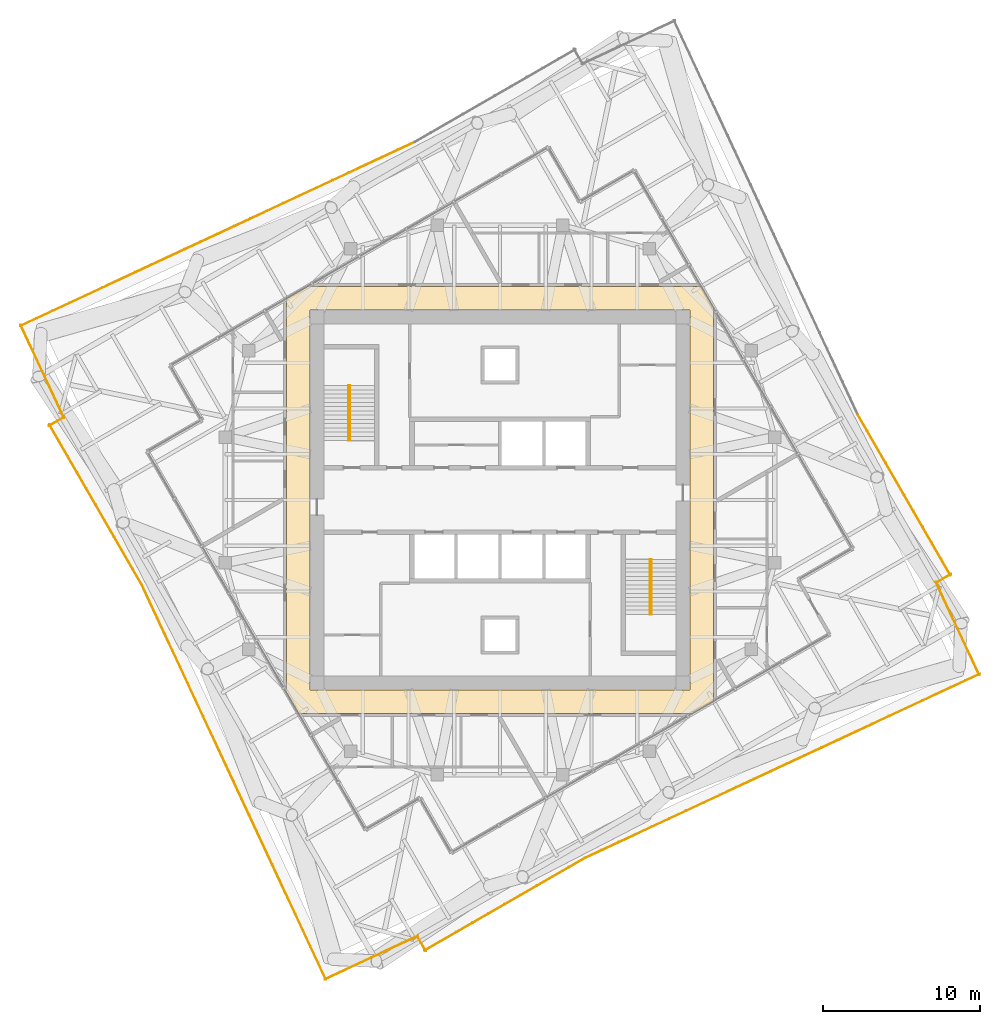
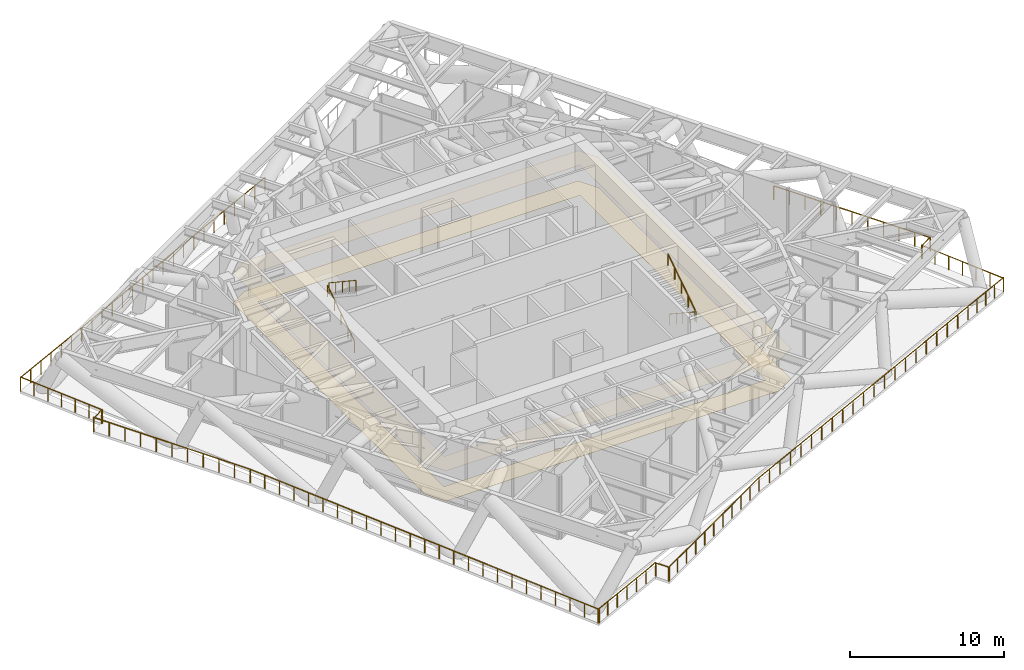
# One storey, part 11 of 12: 17 railings, 2 coverings, 2 elements without a shape of their own.
"""IFC4 building model written with IfcOpenShell, lengths in metres."""

from ifc_helpers import new_model, si_unit, direction, frame, origin, origin_2d, place, context, subcontext, project, spatial, polyline, circle, outline, extrude, material, layer, layer_set, type_object, element, aggregate, save


model = new_model("IFC4")

# Units and contexts
model_context = context("Model", 3, precision=1e-05, world=origin(), true_north=direction((0.0, 1.0)))
body_context = subcontext(model_context, "Body", "Model", "MODEL_VIEW")
ifc_project = project(units=[si_unit("LENGTHUNIT", "METRE"), si_unit("AREAUNIT", "SQUARE_METRE"), si_unit("VOLUMEUNIT", "CUBIC_METRE"), si_unit("PLANEANGLEUNIT", "RADIAN"), si_unit("MASSUNIT", "GRAM", prefix="KILO")], contexts=[model_context])

# Site, building, storey
site_placement = place(None, origin())
site = spatial("IfcSite", under=ifc_project, at=site_placement, CompositionType="ELEMENT")
building_placement = place(site_placement, origin())
building = spatial("IfcBuilding", under=site, at=building_placement, Name="Torsade Residences", CompositionType="ELEMENT")
storey_placement = place(building_placement, frame((0.0, 0.0, 203.199951171875)))
storey = spatial("IfcBuildingStorey", under=building, at=storey_placement, Name="L56", CompositionType="ELEMENT", Elevation=203.199951171875)

# Coverings
ifc_material_1 = material(Name="Nylon carpet tile on underlay", Category="textile")
ifc_layer_1 = layer(ifc_material_1, 0.010009765625)
ifc_layer_set_1 = layer_set([ifc_layer_1], Name="Nylon carpet tile on underlay")
covering_type_1 = type_object("IfcCoveringType", Name="CORRIDOR CARPET TILE 10", PredefinedType="FLOORING", material=ifc_layer_set_1)
covering_1_placement = place(storey_placement, origin())
element("IfcCovering", 1, at=covering_1_placement, inside=storey, type_object=covering_type_1, Name="Corridor carpet L56", PredefinedType="FLOORING", context=body_context, shape_type="SweptSolid", body=[
    extrude(outline(polyline([(26.39990234375, 17.755859375), (27.182861328125, 16.39990234375), (52.244140625, 16.39990234375), (53.60009765625, 17.182861328125), (53.60009765625, 42.244140625), (52.817138671875, 43.60009765625), (27.755859375, 43.60009765625), (26.39990234375, 42.817138671875), (26.39990234375, 17.755859375)]), holes=[polyline([(27.89990234375, 42.10009765625), (27.89990234375, 17.89990234375), (52.10009765625, 17.89990234375), (52.10009765625, 42.10009765625), (27.89990234375, 42.10009765625)])]), origin(), (0.0, 0.0, 1.0), 0.010009765625),
])
ifc_material_2 = material(Name="Plasterboard on suspended steel grid", Category="steel")
ifc_layer_2 = layer(ifc_material_2, 0.012939453125)
ifc_layer_set_2 = layer_set([ifc_layer_2], Name="Plasterboard on suspended steel grid")
covering_type_2 = type_object("IfcCoveringType", Name="CORRIDOR SUSPENDED CEILING 13", PredefinedType="CEILING", material=ifc_layer_set_2)
covering_2_placement = place(storey_placement, frame((0.0, 0.0, 2.400146484375)))
element("IfcCovering", 2, at=covering_2_placement, inside=storey, type_object=covering_type_2, Name="Corridor ceiling L56", PredefinedType="CEILING", context=body_context, shape_type="SweptSolid", body=[
    extrude(outline(polyline([(26.39990234375, 17.755859375), (27.182861328125, 16.39990234375), (52.244140625, 16.39990234375), (53.60009765625, 17.182861328125), (53.60009765625, 42.244140625), (52.817138671875, 43.60009765625), (27.755859375, 43.60009765625), (26.39990234375, 42.817138671875), (26.39990234375, 17.755859375)]), holes=[polyline([(27.89990234375, 42.10009765625), (27.89990234375, 17.89990234375), (52.10009765625, 17.89990234375), (52.10009765625, 42.10009765625), (27.89990234375, 42.10009765625)])]), origin(), (0.0, 0.0, 1.0), 0.012939453125),
])

# Railings
ifc_material_3 = material(Name="Galvanised steel guard rail", Category="steel")
railing_type_1 = type_object("IfcRailingType", Name="ROOF EDGE GUARD 1100", PredefinedType="GUARDRAIL", material=ifc_material_3)
railing_1_placement = place(storey_placement, frame((34.756591796875, 2.18212890625, 0.0)))
element("IfcRailing", 3, at=railing_1_placement, inside=storey, type_object=railing_type_1, Name="Roof edge guard L56 1", PredefinedType="GUARDRAIL", context=body_context, shape_type="SweptSolid", body=[
    extrude(circle(Radius=0.02392578125, at=origin_2d()), frame((0.0, 0.0, 1.076171875), z_axis=(0.49975662701, -0.866165869657, 0.0), x_axis=(0.866165869657, 0.49975662701, 0.0)), (0.0, 0.0, 1.0), 1.03076171875),
    extrude(circle(Radius=0.02099609375, at=origin_2d()), origin(), (0.0, 0.0, 1.0), 1.052001953125),
    extrude(circle(Radius=0.02099609375, at=origin_2d()), frame((0.51513671875, -0.892822265625, 0.0)), (0.0, 0.0, 1.0), 1.052001953125),
])
railing_2_placement = place(storey_placement, frame((35.20361328125, 1.3076171875, 0.0)))
element("IfcRailing", 4, at=railing_2_placement, inside=storey, type_object=railing_type_1, Name="Roof edge guard L56 2", PredefinedType="GUARDRAIL", context=body_context, shape_type="SweptSolid", body=[
    extrude(circle(Radius=0.02392578125, at=origin_2d()), frame((0.0, 0.0, 1.076171875), z_axis=(0.86602137294, 0.500006981563, 0.0), x_axis=(-0.500006981563, 0.86602137294, 0.0)), (0.0, 0.0, 1.0), 11.784912109375),
    extrude(circle(Radius=0.02099609375, at=origin_2d()), origin(), (0.0, 0.0, 1.0), 1.052001953125),
    extrude(circle(Radius=0.02099609375, at=origin_2d()), frame((1.0205078125, 0.58935546875, 0.0)), (0.0, 0.0, 1.0), 1.052001953125),
    extrude(circle(Radius=0.02099609375, at=origin_2d()), frame((2.041259765625, 1.178466796875, 0.0)), (0.0, 0.0, 1.0), 1.052001953125),
    extrude(circle(Radius=0.02099609375, at=origin_2d()), frame((3.061767578125, 1.767822265625, 0.0)), (0.0, 0.0, 1.0), 1.052001953125),
    extrude(circle(Radius=0.02099609375, at=origin_2d()), frame((4.08251953125, 2.35693359375, 0.0)), (0.0, 0.0, 1.0), 1.052001953125),
    extrude(circle(Radius=0.02099609375, at=origin_2d()), frame((5.10302734375, 2.9462890625, 0.0)), (0.0, 0.0, 1.0), 1.052001953125),
    extrude(circle(Radius=0.02099609375, at=origin_2d()), frame((6.12353515625, 3.53564453125, 0.0)), (0.0, 0.0, 1.0), 1.052001953125),
    extrude(circle(Radius=0.02099609375, at=origin_2d()), frame((7.144287109375, 4.124755859375, 0.0)), (0.0, 0.0, 1.0), 1.052001953125),
    extrude(circle(Radius=0.02099609375, at=origin_2d()), frame((8.164794921875, 4.714111328125, 0.0)), (0.0, 0.0, 1.0), 1.052001953125),
    extrude(circle(Radius=0.02099609375, at=origin_2d()), frame((9.185546875, 5.30322265625, 0.0)), (0.0, 0.0, 1.0), 1.052001953125),
    extrude(circle(Radius=0.02099609375, at=origin_2d()), frame((10.2060546875, 5.892578125, 0.0)), (0.0, 0.0, 1.0), 1.052001953125),
])
railing_3_placement = place(storey_placement, frame((45.409912109375, 7.2001953125, 0.0)))
element("IfcRailing", 5, at=railing_3_placement, inside=storey, type_object=railing_type_1, Name="Roof edge guard L56 3", PredefinedType="GUARDRAIL", context=body_context, shape_type="SweptSolid", body=[
    extrude(circle(Radius=0.02392578125, at=origin_2d()), frame((0.0, 0.0, 1.076171875), z_axis=(0.906308460776, 0.422616816899, 0.0), x_axis=(-0.422616816899, 0.906308460776, 0.0)), (0.0, 0.0, 1.0), 23.732666015625),
    extrude(circle(Radius=0.02099609375, at=origin_2d()), origin(), (0.0, 0.0, 1.0), 1.052001953125),
    extrude(circle(Radius=0.02099609375, at=origin_2d()), frame((1.075439453125, 0.50146484375, 0.0)), (0.0, 0.0, 1.0), 1.052001953125),
    extrude(circle(Radius=0.02099609375, at=origin_2d()), frame((2.15087890625, 1.0029296875, 0.0)), (0.0, 0.0, 1.0), 1.052001953125),
    extrude(circle(Radius=0.02099609375, at=origin_2d()), frame((3.226318359375, 1.50439453125, 0.0)), (0.0, 0.0, 1.0), 1.052001953125),
    extrude(circle(Radius=0.02099609375, at=origin_2d()), frame((4.3017578125, 2.005859375, 0.0)), (0.0, 0.0, 1.0), 1.052001953125),
    extrude(circle(Radius=0.02099609375, at=origin_2d()), frame((5.377197265625, 2.50732421875, 0.0)), (0.0, 0.0, 1.0), 1.052001953125),
    extrude(circle(Radius=0.02099609375, at=origin_2d()), frame((6.45263671875, 3.009033203125, 0.0)), (0.0, 0.0, 1.0), 1.052001953125),
    extrude(circle(Radius=0.02099609375, at=origin_2d()), frame((7.528076171875, 3.510498046875, 0.0)), (0.0, 0.0, 1.0), 1.052001953125),
    extrude(circle(Radius=0.02099609375, at=origin_2d()), frame((8.603515625, 4.011962890625, 0.0)), (0.0, 0.0, 1.0), 1.052001953125),
    extrude(circle(Radius=0.02099609375, at=origin_2d()), frame((9.678955078125, 4.513427734375, 0.0)), (0.0, 0.0, 1.0), 1.052001953125),
    extrude(circle(Radius=0.02099609375, at=origin_2d()), frame((10.75439453125, 5.014892578125, 0.0)), (0.0, 0.0, 1.0), 1.052001953125),
    extrude(circle(Radius=0.02099609375, at=origin_2d()), frame((11.830078125, 5.516357421875, 0.0)), (0.0, 0.0, 1.0), 1.052001953125),
    extrude(circle(Radius=0.02099609375, at=origin_2d()), frame((12.905517578125, 6.017822265625, 0.0)), (0.0, 0.0, 1.0), 1.052001953125),
    extrude(circle(Radius=0.02099609375, at=origin_2d()), frame((13.98095703125, 6.519287109375, 0.0)), (0.0, 0.0, 1.0), 1.052001953125),
    extrude(circle(Radius=0.02099609375, at=origin_2d()), frame((15.056396484375, 7.020751953125, 0.0)), (0.0, 0.0, 1.0), 1.052001953125),
    extrude(circle(Radius=0.02099609375, at=origin_2d()), frame((16.1318359375, 7.5224609375, 0.0)), (0.0, 0.0, 1.0), 1.052001953125),
    extrude(circle(Radius=0.02099609375, at=origin_2d()), frame((17.207275390625, 8.02392578125, 0.0)), (0.0, 0.0, 1.0), 1.052001953125),
    extrude(circle(Radius=0.02099609375, at=origin_2d()), frame((18.28271484375, 8.525390625, 0.0)), (0.0, 0.0, 1.0), 1.052001953125),
    extrude(circle(Radius=0.02099609375, at=origin_2d()), frame((19.358154296875, 9.02685546875, 0.0)), (0.0, 0.0, 1.0), 1.052001953125),
    extrude(circle(Radius=0.02099609375, at=origin_2d()), frame((20.43359375, 9.5283203125, 0.0)), (0.0, 0.0, 1.0), 1.052001953125),
    extrude(circle(Radius=0.02099609375, at=origin_2d()), frame((21.509033203125, 10.02978515625, 0.0)), (0.0, 0.0, 1.0), 1.052001953125),
])
railing_4_placement = place(storey_placement, frame((66.9189453125, 17.22998046875, 0.0)))
element("IfcRailing", 6, at=railing_4_placement, inside=storey, type_object=railing_type_1, Name="Roof edge guard L56 4", PredefinedType="GUARDRAIL", context=body_context, shape_type="SweptSolid", body=[
    extrude(circle(Radius=0.02392578125, at=origin_2d()), frame((0.0, 0.0, 1.076171875), z_axis=(0.906312519031, 0.422608113797, 0.0), x_axis=(-0.422608113797, 0.906312519031, 0.0)), (0.0, 0.0, 1.0), 4.0),
    extrude(circle(Radius=0.02099609375, at=origin_2d()), origin(), (0.0, 0.0, 1.0), 1.052001953125),
    extrude(circle(Radius=0.02099609375, at=origin_2d()), frame((0.90625, 0.422607421875, 0.0)), (0.0, 0.0, 1.0), 1.052001953125),
    extrude(circle(Radius=0.02099609375, at=origin_2d()), frame((1.8125, 0.84521484375, 0.0)), (0.0, 0.0, 1.0), 1.052001953125),
    extrude(circle(Radius=0.02099609375, at=origin_2d()), frame((2.718994140625, 1.267822265625, 0.0)), (0.0, 0.0, 1.0), 1.052001953125),
    extrude(circle(Radius=0.02099609375, at=origin_2d()), frame((3.625244140625, 1.6904296875, 0.0)), (0.0, 0.0, 1.0), 1.052001953125),
])
railing_5_placement = place(storey_placement, frame((70.52001953125, 18.85400390625, 0.0)))
element("IfcRailing", 7, at=railing_5_placement, inside=storey, type_object=railing_type_1, Name="Roof edge guard L56 5", PredefinedType="GUARDRAIL", context=body_context, shape_type="SweptSolid", body=[
    extrude(circle(Radius=0.02392578125, at=origin_2d()), frame((0.0, 0.0, 1.076171875), z_axis=(-0.422607222856, 0.906312934471, 0.0), x_axis=(-0.906312934471, -0.422607222856, 0.0)), (0.0, 0.0, 1.0), 6.533203125),
    extrude(circle(Radius=0.02099609375, at=origin_2d()), origin(), (0.0, 0.0, 1.0), 1.052001953125),
    extrude(circle(Radius=0.02099609375, at=origin_2d()), frame((-0.460205078125, 0.98681640625, 0.0)), (0.0, 0.0, 1.0), 1.052001953125),
    extrude(circle(Radius=0.02099609375, at=origin_2d()), frame((-0.92041015625, 1.9736328125, 0.0)), (0.0, 0.0, 1.0), 1.052001953125),
    extrude(circle(Radius=0.02099609375, at=origin_2d()), frame((-1.38037109375, 2.96044921875, 0.0)), (0.0, 0.0, 1.0), 1.052001953125),
    extrude(circle(Radius=0.02099609375, at=origin_2d()), frame((-1.840576171875, 3.947509765625, 0.0)), (0.0, 0.0, 1.0), 1.052001953125),
    extrude(circle(Radius=0.02099609375, at=origin_2d()), frame((-2.30078125, 4.934326171875, 0.0)), (0.0, 0.0, 1.0), 1.052001953125),
    extrude(circle(Radius=0.02099609375, at=origin_2d()), frame((-2.760986328125, 5.921142578125, 0.0)), (0.0, 0.0, 1.0), 1.052001953125),
])
railing_6_placement = place(storey_placement, frame((67.81787109375, 24.756591796875, 0.0)))
element("IfcRailing", 8, at=railing_6_placement, inside=storey, type_object=railing_type_1, Name="Roof edge guard L56 6", PredefinedType="GUARDRAIL", context=body_context, shape_type="SweptSolid", body=[
    extrude(circle(Radius=0.02392578125, at=origin_2d()), frame((0.0, 0.0, 1.076171875), z_axis=(0.866165869657, 0.49975662701, 0.0), x_axis=(-0.49975662701, 0.866165869657, 0.0)), (0.0, 0.0, 1.0), 1.03076171875),
    extrude(circle(Radius=0.02099609375, at=origin_2d()), origin(), (0.0, 0.0, 1.0), 1.052001953125),
    extrude(circle(Radius=0.02099609375, at=origin_2d()), frame((0.892822265625, 0.51513671875, 0.0)), (0.0, 0.0, 1.0), 1.052001953125),
])
railing_7_placement = place(storey_placement, frame((68.6923828125, 25.20361328125, 0.0)))
element("IfcRailing", 9, at=railing_7_placement, inside=storey, type_object=railing_type_1, Name="Roof edge guard L56 7", PredefinedType="GUARDRAIL", context=body_context, shape_type="SweptSolid", body=[
    extrude(circle(Radius=0.02392578125, at=origin_2d()), frame((0.0, 0.0, 1.076171875), z_axis=(-0.500006981563, 0.86602137294, 0.0), x_axis=(-0.86602137294, -0.500006981563, 0.0)), (0.0, 0.0, 1.0), 11.784912109375),
    extrude(circle(Radius=0.02099609375, at=origin_2d()), origin(), (0.0, 0.0, 1.0), 1.052001953125),
    extrude(circle(Radius=0.02099609375, at=origin_2d()), frame((-0.58935546875, 1.0205078125, 0.0)), (0.0, 0.0, 1.0), 1.052001953125),
    extrude(circle(Radius=0.02099609375, at=origin_2d()), frame((-1.178466796875, 2.041259765625, 0.0)), (0.0, 0.0, 1.0), 1.052001953125),
    extrude(circle(Radius=0.02099609375, at=origin_2d()), frame((-1.767822265625, 3.061767578125, 0.0)), (0.0, 0.0, 1.0), 1.052001953125),
    extrude(circle(Radius=0.02099609375, at=origin_2d()), frame((-2.35693359375, 4.08251953125, 0.0)), (0.0, 0.0, 1.0), 1.052001953125),
    extrude(circle(Radius=0.02099609375, at=origin_2d()), frame((-2.9462890625, 5.10302734375, 0.0)), (0.0, 0.0, 1.0), 1.052001953125),
    extrude(circle(Radius=0.02099609375, at=origin_2d()), frame((-3.53564453125, 6.12353515625, 0.0)), (0.0, 0.0, 1.0), 1.052001953125),
    extrude(circle(Radius=0.02099609375, at=origin_2d()), frame((-4.124755859375, 7.144287109375, 0.0)), (0.0, 0.0, 1.0), 1.052001953125),
    extrude(circle(Radius=0.02099609375, at=origin_2d()), frame((-4.714111328125, 8.164794921875, 0.0)), (0.0, 0.0, 1.0), 1.052001953125),
    extrude(circle(Radius=0.02099609375, at=origin_2d()), frame((-5.30322265625, 9.185546875, 0.0)), (0.0, 0.0, 1.0), 1.052001953125),
    extrude(circle(Radius=0.02099609375, at=origin_2d()), frame((-5.892578125, 10.2060546875, 0.0)), (0.0, 0.0, 1.0), 1.052001953125),
])
railing_8_placement = place(storey_placement, frame((34.590087890625, 52.7998046875, 0.0)))
element("IfcRailing", 10, at=railing_8_placement, inside=storey, type_object=railing_type_1, Name="Roof edge guard L56 12", PredefinedType="GUARDRAIL", context=body_context, shape_type="SweptSolid", body=[
    extrude(circle(Radius=0.02392578125, at=origin_2d()), frame((0.0, 0.0, 1.076171875), z_axis=(-0.906309046122, -0.422615561614, 0.0), x_axis=(0.422615561614, -0.906309046122, 0.0)), (0.0, 0.0, 1.0), 27.732666015625),
    extrude(circle(Radius=0.02099609375, at=origin_2d()), origin(), (0.0, 0.0, 1.0), 1.052001953125),
    extrude(circle(Radius=0.02099609375, at=origin_2d()), frame((-1.04736328125, -0.48828125, 0.0)), (0.0, 0.0, 1.0), 1.052001953125),
    extrude(circle(Radius=0.02099609375, at=origin_2d()), frame((-2.094482421875, -0.9765625, 0.0)), (0.0, 0.0, 1.0), 1.052001953125),
    extrude(circle(Radius=0.02099609375, at=origin_2d()), frame((-3.141845703125, -1.465087890625, 0.0)), (0.0, 0.0, 1.0), 1.052001953125),
    extrude(circle(Radius=0.02099609375, at=origin_2d()), frame((-4.18896484375, -1.953369140625, 0.0)), (0.0, 0.0, 1.0), 1.052001953125),
    extrude(circle(Radius=0.02099609375, at=origin_2d()), frame((-5.236328125, -2.441650390625, 0.0)), (0.0, 0.0, 1.0), 1.052001953125),
    extrude(circle(Radius=0.02099609375, at=origin_2d()), frame((-6.28369140625, -2.93017578125, 0.0)), (0.0, 0.0, 1.0), 1.052001953125),
    extrude(circle(Radius=0.02099609375, at=origin_2d()), frame((-7.330810546875, -3.41845703125, 0.0)), (0.0, 0.0, 1.0), 1.052001953125),
    extrude(circle(Radius=0.02099609375, at=origin_2d()), frame((-8.378173828125, -3.90673828125, 0.0)), (0.0, 0.0, 1.0), 1.052001953125),
    extrude(circle(Radius=0.02099609375, at=origin_2d()), frame((-9.42529296875, -4.39501953125, 0.0)), (0.0, 0.0, 1.0), 1.052001953125),
    extrude(circle(Radius=0.02099609375, at=origin_2d()), frame((-10.47265625, -4.88330078125, 0.0)), (0.0, 0.0, 1.0), 1.052001953125),
    extrude(circle(Radius=0.02099609375, at=origin_2d()), frame((-11.519775390625, -5.371826171875, 0.0)), (0.0, 0.0, 1.0), 1.052001953125),
    extrude(circle(Radius=0.02099609375, at=origin_2d()), frame((-12.567138671875, -5.860107421875, 0.0)), (0.0, 0.0, 1.0), 1.052001953125),
    extrude(circle(Radius=0.02099609375, at=origin_2d()), frame((-13.614501953125, -6.348388671875, 0.0)), (0.0, 0.0, 1.0), 1.052001953125),
    extrude(circle(Radius=0.02099609375, at=origin_2d()), frame((-14.66162109375, -6.8369140625, 0.0)), (0.0, 0.0, 1.0), 1.052001953125),
    extrude(circle(Radius=0.02099609375, at=origin_2d()), frame((-15.708984375, -7.3251953125, 0.0)), (0.0, 0.0, 1.0), 1.052001953125),
    extrude(circle(Radius=0.02099609375, at=origin_2d()), frame((-16.756103515625, -7.8134765625, 0.0)), (0.0, 0.0, 1.0), 1.052001953125),
    extrude(circle(Radius=0.02099609375, at=origin_2d()), frame((-17.803466796875, -8.3017578125, 0.0)), (0.0, 0.0, 1.0), 1.052001953125),
    extrude(circle(Radius=0.02099609375, at=origin_2d()), frame((-18.8505859375, -8.7900390625, 0.0)), (0.0, 0.0, 1.0), 1.052001953125),
    extrude(circle(Radius=0.02099609375, at=origin_2d()), frame((-19.89794921875, -9.278564453125, 0.0)), (0.0, 0.0, 1.0), 1.052001953125),
    extrude(circle(Radius=0.02099609375, at=origin_2d()), frame((-20.9453125, -9.766845703125, 0.0)), (0.0, 0.0, 1.0), 1.052001953125),
    extrude(circle(Radius=0.02099609375, at=origin_2d()), frame((-21.992431640625, -10.255126953125, 0.0)), (0.0, 0.0, 1.0), 1.052001953125),
    extrude(circle(Radius=0.02099609375, at=origin_2d()), frame((-23.039794921875, -10.74365234375, 0.0)), (0.0, 0.0, 1.0), 1.052001953125),
    extrude(circle(Radius=0.02099609375, at=origin_2d()), frame((-24.0869140625, -11.23193359375, 0.0)), (0.0, 0.0, 1.0), 1.052001953125),
    extrude(circle(Radius=0.02099609375, at=origin_2d()), frame((-25.13427734375, -11.72021484375, 0.0)), (0.0, 0.0, 1.0), 1.052001953125),
])
railing_9_placement = place(storey_placement, frame((9.47998046875, 41.14599609375, 0.0)))
element("IfcRailing", 11, at=railing_9_placement, inside=storey, type_object=railing_type_1, Name="Roof edge guard L56 13", PredefinedType="GUARDRAIL", context=body_context, shape_type="SweptSolid", body=[
    extrude(circle(Radius=0.02392578125, at=origin_2d()), frame((0.0, 0.0, 1.076171875), z_axis=(0.422607222856, -0.906312934471, 0.0), x_axis=(0.906312934471, 0.422607222856, 0.0)), (0.0, 0.0, 1.0), 6.533203125),
    extrude(circle(Radius=0.02099609375, at=origin_2d()), origin(), (0.0, 0.0, 1.0), 1.052001953125),
    extrude(circle(Radius=0.02099609375, at=origin_2d()), frame((0.460205078125, -0.98681640625, 0.0)), (0.0, 0.0, 1.0), 1.052001953125),
    extrude(circle(Radius=0.02099609375, at=origin_2d()), frame((0.92041015625, -1.9736328125, 0.0)), (0.0, 0.0, 1.0), 1.052001953125),
    extrude(circle(Radius=0.02099609375, at=origin_2d()), frame((1.38037109375, -2.96044921875, 0.0)), (0.0, 0.0, 1.0), 1.052001953125),
    extrude(circle(Radius=0.02099609375, at=origin_2d()), frame((1.840576171875, -3.947509765625, 0.0)), (0.0, 0.0, 1.0), 1.052001953125),
    extrude(circle(Radius=0.02099609375, at=origin_2d()), frame((2.30078125, -4.934326171875, 0.0)), (0.0, 0.0, 1.0), 1.052001953125),
    extrude(circle(Radius=0.02099609375, at=origin_2d()), frame((2.760986328125, -5.921142578125, 0.0)), (0.0, 0.0, 1.0), 1.052001953125),
])
railing_10_placement = place(storey_placement, frame((12.18212890625, 35.243408203125, 0.0)))
element("IfcRailing", 12, at=railing_10_placement, inside=storey, type_object=railing_type_1, Name="Roof edge guard L56 14", PredefinedType="GUARDRAIL", context=body_context, shape_type="SweptSolid", body=[
    extrude(circle(Radius=0.02392578125, at=origin_2d()), frame((0.0, 0.0, 1.076171875), z_axis=(-0.866165869657, -0.49975662701, 0.0), x_axis=(0.49975662701, -0.866165869657, 0.0)), (0.0, 0.0, 1.0), 1.03076171875),
    extrude(circle(Radius=0.02099609375, at=origin_2d()), origin(), (0.0, 0.0, 1.0), 1.052001953125),
    extrude(circle(Radius=0.02099609375, at=origin_2d()), frame((-0.892822265625, -0.51513671875, 0.0)), (0.0, 0.0, 1.0), 1.052001953125),
])
railing_11_placement = place(storey_placement, frame((11.3076171875, 34.79638671875, 0.0)))
element("IfcRailing", 13, at=railing_11_placement, inside=storey, type_object=railing_type_1, Name="Roof edge guard L56 15", PredefinedType="GUARDRAIL", context=body_context, shape_type="SweptSolid", body=[
    extrude(circle(Radius=0.02392578125, at=origin_2d()), frame((0.0, 0.0, 1.076171875), z_axis=(0.500006981563, -0.86602137294, 0.0), x_axis=(0.86602137294, 0.500006981563, 0.0)), (0.0, 0.0, 1.0), 11.784912109375),
    extrude(circle(Radius=0.02099609375, at=origin_2d()), origin(), (0.0, 0.0, 1.0), 1.052001953125),
    extrude(circle(Radius=0.02099609375, at=origin_2d()), frame((0.58935546875, -1.0205078125, 0.0)), (0.0, 0.0, 1.0), 1.052001953125),
    extrude(circle(Radius=0.02099609375, at=origin_2d()), frame((1.178466796875, -2.041259765625, 0.0)), (0.0, 0.0, 1.0), 1.052001953125),
    extrude(circle(Radius=0.02099609375, at=origin_2d()), frame((1.767822265625, -3.061767578125, 0.0)), (0.0, 0.0, 1.0), 1.052001953125),
    extrude(circle(Radius=0.02099609375, at=origin_2d()), frame((2.35693359375, -4.08251953125, 0.0)), (0.0, 0.0, 1.0), 1.052001953125),
    extrude(circle(Radius=0.02099609375, at=origin_2d()), frame((2.9462890625, -5.10302734375, 0.0)), (0.0, 0.0, 1.0), 1.052001953125),
    extrude(circle(Radius=0.02099609375, at=origin_2d()), frame((3.53564453125, -6.12353515625, 0.0)), (0.0, 0.0, 1.0), 1.052001953125),
    extrude(circle(Radius=0.02099609375, at=origin_2d()), frame((4.124755859375, -7.144287109375, 0.0)), (0.0, 0.0, 1.0), 1.052001953125),
    extrude(circle(Radius=0.02099609375, at=origin_2d()), frame((4.714111328125, -8.164794921875, 0.0)), (0.0, 0.0, 1.0), 1.052001953125),
    extrude(circle(Radius=0.02099609375, at=origin_2d()), frame((5.30322265625, -9.185546875, 0.0)), (0.0, 0.0, 1.0), 1.052001953125),
    extrude(circle(Radius=0.02099609375, at=origin_2d()), frame((5.892578125, -10.2060546875, 0.0)), (0.0, 0.0, 1.0), 1.052001953125),
])
railing_12_placement = place(storey_placement, frame((17.2001953125, 24.590087890625, 0.0)))
element("IfcRailing", 14, at=railing_12_placement, inside=storey, type_object=railing_type_1, Name="Roof edge guard L56 16", PredefinedType="GUARDRAIL", context=body_context, shape_type="SweptSolid", body=[
    extrude(circle(Radius=0.02392578125, at=origin_2d()), frame((0.0, 0.0, 1.076171875), z_axis=(0.422615561614, -0.906309046122, 0.0), x_axis=(0.906309046122, 0.422615561614, 0.0)), (0.0, 0.0, 1.0), 27.732666015625),
    extrude(circle(Radius=0.02099609375, at=origin_2d()), origin(), (0.0, 0.0, 1.0), 1.052001953125),
    extrude(circle(Radius=0.02099609375, at=origin_2d()), frame((0.48828125, -1.04736328125, 0.0)), (0.0, 0.0, 1.0), 1.052001953125),
    extrude(circle(Radius=0.02099609375, at=origin_2d()), frame((0.9765625, -2.094482421875, 0.0)), (0.0, 0.0, 1.0), 1.052001953125),
    extrude(circle(Radius=0.02099609375, at=origin_2d()), frame((1.465087890625, -3.141845703125, 0.0)), (0.0, 0.0, 1.0), 1.052001953125),
    extrude(circle(Radius=0.02099609375, at=origin_2d()), frame((1.953369140625, -4.18896484375, 0.0)), (0.0, 0.0, 1.0), 1.052001953125),
    extrude(circle(Radius=0.02099609375, at=origin_2d()), frame((2.441650390625, -5.236328125, 0.0)), (0.0, 0.0, 1.0), 1.052001953125),
    extrude(circle(Radius=0.02099609375, at=origin_2d()), frame((2.93017578125, -6.28369140625, 0.0)), (0.0, 0.0, 1.0), 1.052001953125),
    extrude(circle(Radius=0.02099609375, at=origin_2d()), frame((3.41845703125, -7.330810546875, 0.0)), (0.0, 0.0, 1.0), 1.052001953125),
    extrude(circle(Radius=0.02099609375, at=origin_2d()), frame((3.90673828125, -8.378173828125, 0.0)), (0.0, 0.0, 1.0), 1.052001953125),
    extrude(circle(Radius=0.02099609375, at=origin_2d()), frame((4.39501953125, -9.42529296875, 0.0)), (0.0, 0.0, 1.0), 1.052001953125),
    extrude(circle(Radius=0.02099609375, at=origin_2d()), frame((4.88330078125, -10.47265625, 0.0)), (0.0, 0.0, 1.0), 1.052001953125),
    extrude(circle(Radius=0.02099609375, at=origin_2d()), frame((5.371826171875, -11.519775390625, 0.0)), (0.0, 0.0, 1.0), 1.052001953125),
    extrude(circle(Radius=0.02099609375, at=origin_2d()), frame((5.860107421875, -12.567138671875, 0.0)), (0.0, 0.0, 1.0), 1.052001953125),
    extrude(circle(Radius=0.02099609375, at=origin_2d()), frame((6.348388671875, -13.614501953125, 0.0)), (0.0, 0.0, 1.0), 1.052001953125),
    extrude(circle(Radius=0.02099609375, at=origin_2d()), frame((6.8369140625, -14.66162109375, 0.0)), (0.0, 0.0, 1.0), 1.052001953125),
    extrude(circle(Radius=0.02099609375, at=origin_2d()), frame((7.3251953125, -15.708984375, 0.0)), (0.0, 0.0, 1.0), 1.052001953125),
    extrude(circle(Radius=0.02099609375, at=origin_2d()), frame((7.8134765625, -16.756103515625, 0.0)), (0.0, 0.0, 1.0), 1.052001953125),
    extrude(circle(Radius=0.02099609375, at=origin_2d()), frame((8.3017578125, -17.803466796875, 0.0)), (0.0, 0.0, 1.0), 1.052001953125),
    extrude(circle(Radius=0.02099609375, at=origin_2d()), frame((8.7900390625, -18.8505859375, 0.0)), (0.0, 0.0, 1.0), 1.052001953125),
    extrude(circle(Radius=0.02099609375, at=origin_2d()), frame((9.278564453125, -19.89794921875, 0.0)), (0.0, 0.0, 1.0), 1.052001953125),
    extrude(circle(Radius=0.02099609375, at=origin_2d()), frame((9.766845703125, -20.9453125, 0.0)), (0.0, 0.0, 1.0), 1.052001953125),
    extrude(circle(Radius=0.02099609375, at=origin_2d()), frame((10.255126953125, -21.992431640625, 0.0)), (0.0, 0.0, 1.0), 1.052001953125),
    extrude(circle(Radius=0.02099609375, at=origin_2d()), frame((10.74365234375, -23.039794921875, 0.0)), (0.0, 0.0, 1.0), 1.052001953125),
    extrude(circle(Radius=0.02099609375, at=origin_2d()), frame((11.23193359375, -24.0869140625, 0.0)), (0.0, 0.0, 1.0), 1.052001953125),
    extrude(circle(Radius=0.02099609375, at=origin_2d()), frame((11.72021484375, -25.13427734375, 0.0)), (0.0, 0.0, 1.0), 1.052001953125),
])
railing_13_placement = place(storey_placement, frame((28.85400390625, -0.52001953125, 0.0)))
element("IfcRailing", 15, at=railing_13_placement, inside=storey, type_object=railing_type_1, Name="Roof edge guard L56 17", PredefinedType="GUARDRAIL", context=body_context, shape_type="SweptSolid", body=[
    extrude(circle(Radius=0.02392578125, at=origin_2d()), frame((0.0, 0.0, 1.076171875), z_axis=(0.906312934471, 0.422607222856, 0.0), x_axis=(-0.422607222856, 0.906312934471, 0.0)), (0.0, 0.0, 1.0), 6.533203125),
    extrude(circle(Radius=0.02099609375, at=origin_2d()), origin(), (0.0, 0.0, 1.0), 1.052001953125),
    extrude(circle(Radius=0.02099609375, at=origin_2d()), frame((0.98681640625, 0.460205078125, 0.0)), (0.0, 0.0, 1.0), 1.052001953125),
    extrude(circle(Radius=0.02099609375, at=origin_2d()), frame((1.9736328125, 0.92041015625, 0.0)), (0.0, 0.0, 1.0), 1.052001953125),
    extrude(circle(Radius=0.02099609375, at=origin_2d()), frame((2.96044921875, 1.38037109375, 0.0)), (0.0, 0.0, 1.0), 1.052001953125),
    extrude(circle(Radius=0.02099609375, at=origin_2d()), frame((3.947509765625, 1.840576171875, 0.0)), (0.0, 0.0, 1.0), 1.052001953125),
    extrude(circle(Radius=0.02099609375, at=origin_2d()), frame((4.934326171875, 2.30078125, 0.0)), (0.0, 0.0, 1.0), 1.052001953125),
    extrude(circle(Radius=0.02099609375, at=origin_2d()), frame((5.921142578125, 2.760986328125, 0.0)), (0.0, 0.0, 1.0), 1.052001953125),
])

# Stair, railings
ifc_material_4 = material(Name="Precast concrete 40 MPa", Category="concrete")
stair_type = type_object("IfcStairType", Name="HALF-TURN FIRE STAIR 1500x5000", PredefinedType="HALF_TURN_STAIR", material=ifc_material_4)
stair_1_placement = place(storey_placement, origin())
stair_1 = element("IfcStair", 16, at=stair_1_placement, inside=storey, type_object=stair_type, Name="Stair ST1 L56", PredefinedType="HALF_TURN_STAIR")
ifc_material_5 = material(Name="Steel handrail", Category="steel")
railing_type_2 = type_object("IfcRailingType", Name="STAIR HANDRAIL 900", PredefinedType="HANDRAIL", material=ifc_material_5)
railing_14_placement = place(storey_placement, frame((30.35009765625, 33.780029296875, 0.1787109375)))
railing_14 = element("IfcRailing", 17, at=railing_14_placement, type_object=railing_type_2, Name="Handrail ST1 flight 1 L56", PredefinedType="HANDRAIL", context=body_context, shape_type="SweptSolid", body=[
    extrude(circle(Radius=0.02392578125, at=origin_2d()), frame((0.0, 0.0, 0.8759765625), z_axis=(0.0, 0.834097473627, 0.551617081397), x_axis=(-1.0, 0.0, 0.0)), (0.0, 0.0, 1.0), 4.208251953125),
    extrude(circle(Radius=0.02099609375, at=origin_2d()), origin(), (0.0, 0.0, 1.0), 0.851806640625),
    extrude(circle(Radius=0.02099609375, at=origin_2d()), frame((0.0, 0.87744140625, 0.580322265625)), (0.0, 0.0, 1.0), 0.851806640625),
    extrude(circle(Radius=0.02099609375, at=origin_2d()), frame((0.0, 1.7548828125, 1.16064453125)), (0.0, 0.0, 1.0), 0.851806640625),
    extrude(circle(Radius=0.02099609375, at=origin_2d()), frame((0.0, 2.632568359375, 1.740966796875)), (0.0, 0.0, 1.0), 0.851806640625),
    extrude(circle(Radius=0.02099609375, at=origin_2d()), frame((0.0, 3.510009765625, 2.3212890625)), (0.0, 0.0, 1.0), 0.851806640625),
])
railing_15_placement = place(storey_placement, frame((30.449951171875, 37.2900390625, 2.6787109375)))
railing_15 = element("IfcRailing", 18, at=railing_15_placement, type_object=railing_type_2, Name="Handrail ST1 flight 2 L56", PredefinedType="HANDRAIL", context=body_context, shape_type="SweptSolid", body=[
    extrude(circle(Radius=0.02392578125, at=origin_2d()), frame((0.0, 0.0, 0.8759765625), z_axis=(0.0, -0.834097473627, 0.551617081397), x_axis=(1.0, 0.0, 0.0)), (0.0, 0.0, 1.0), 4.208251953125),
    extrude(circle(Radius=0.02099609375, at=origin_2d()), origin(), (0.0, 0.0, 1.0), 0.851806640625),
    extrude(circle(Radius=0.02099609375, at=origin_2d()), frame((0.0, -0.87744140625, 0.580322265625)), (0.0, 0.0, 1.0), 0.851806640625),
    extrude(circle(Radius=0.02099609375, at=origin_2d()), frame((0.0, -1.7548828125, 1.16064453125)), (0.0, 0.0, 1.0), 0.851806640625),
    extrude(circle(Radius=0.02099609375, at=origin_2d()), frame((0.0, -2.632568359375, 1.740966796875)), (0.0, 0.0, 1.0), 0.851806640625),
    extrude(circle(Radius=0.02099609375, at=origin_2d()), frame((0.0, -3.510009765625, 2.3212890625)), (0.0, 0.0, 1.0), 0.851806640625),
])
aggregate(stair_1, [railing_14, railing_15])

stair_2_placement = place(storey_placement, origin())
stair_2 = element("IfcStair", 19, at=stair_2_placement, inside=storey, type_object=stair_type, Name="Stair ST2 L56", PredefinedType="HALF_TURN_STAIR")
railing_16_placement = place(storey_placement, frame((49.64990234375, 26.219970703125, 0.1787109375)))
railing_16 = element("IfcRailing", 20, at=railing_16_placement, type_object=railing_type_2, Name="Handrail ST2 flight 1 L56", PredefinedType="HANDRAIL", context=body_context, shape_type="SweptSolid", body=[
    extrude(circle(Radius=0.02392578125, at=origin_2d()), frame((0.0, 0.0, 0.8759765625), z_axis=(0.0, -0.834097473627, 0.551617081397), x_axis=(1.0, 0.0, 0.0)), (0.0, 0.0, 1.0), 4.208251953125),
    extrude(circle(Radius=0.02099609375, at=origin_2d()), origin(), (0.0, 0.0, 1.0), 0.851806640625),
    extrude(circle(Radius=0.02099609375, at=origin_2d()), frame((0.0, -0.87744140625, 0.580322265625)), (0.0, 0.0, 1.0), 0.851806640625),
    extrude(circle(Radius=0.02099609375, at=origin_2d()), frame((0.0, -1.7548828125, 1.16064453125)), (0.0, 0.0, 1.0), 0.851806640625),
    extrude(circle(Radius=0.02099609375, at=origin_2d()), frame((0.0, -2.632568359375, 1.740966796875)), (0.0, 0.0, 1.0), 0.851806640625),
    extrude(circle(Radius=0.02099609375, at=origin_2d()), frame((0.0, -3.510009765625, 2.3212890625)), (0.0, 0.0, 1.0), 0.851806640625),
])
railing_17_placement = place(storey_placement, frame((49.550048828125, 22.7099609375, 2.6787109375)))
railing_17 = element("IfcRailing", 21, at=railing_17_placement, type_object=railing_type_2, Name="Handrail ST2 flight 2 L56", PredefinedType="HANDRAIL", context=body_context, shape_type="SweptSolid", body=[
    extrude(circle(Radius=0.02392578125, at=origin_2d()), frame((0.0, 0.0, 0.8759765625), z_axis=(0.0, 0.834097473627, 0.551617081397), x_axis=(-1.0, 0.0, 0.0)), (0.0, 0.0, 1.0), 4.208251953125),
    extrude(circle(Radius=0.02099609375, at=origin_2d()), origin(), (0.0, 0.0, 1.0), 0.851806640625),
    extrude(circle(Radius=0.02099609375, at=origin_2d()), frame((0.0, 0.87744140625, 0.580322265625)), (0.0, 0.0, 1.0), 0.851806640625),
    extrude(circle(Radius=0.02099609375, at=origin_2d()), frame((0.0, 1.7548828125, 1.16064453125)), (0.0, 0.0, 1.0), 0.851806640625),
    extrude(circle(Radius=0.02099609375, at=origin_2d()), frame((0.0, 2.632568359375, 1.740966796875)), (0.0, 0.0, 1.0), 0.851806640625),
    extrude(circle(Radius=0.02099609375, at=origin_2d()), frame((0.0, 3.510009765625, 2.3212890625)), (0.0, 0.0, 1.0), 0.851806640625),
])
aggregate(stair_2, [railing_16, railing_17])

save(model, "model.ifc")
